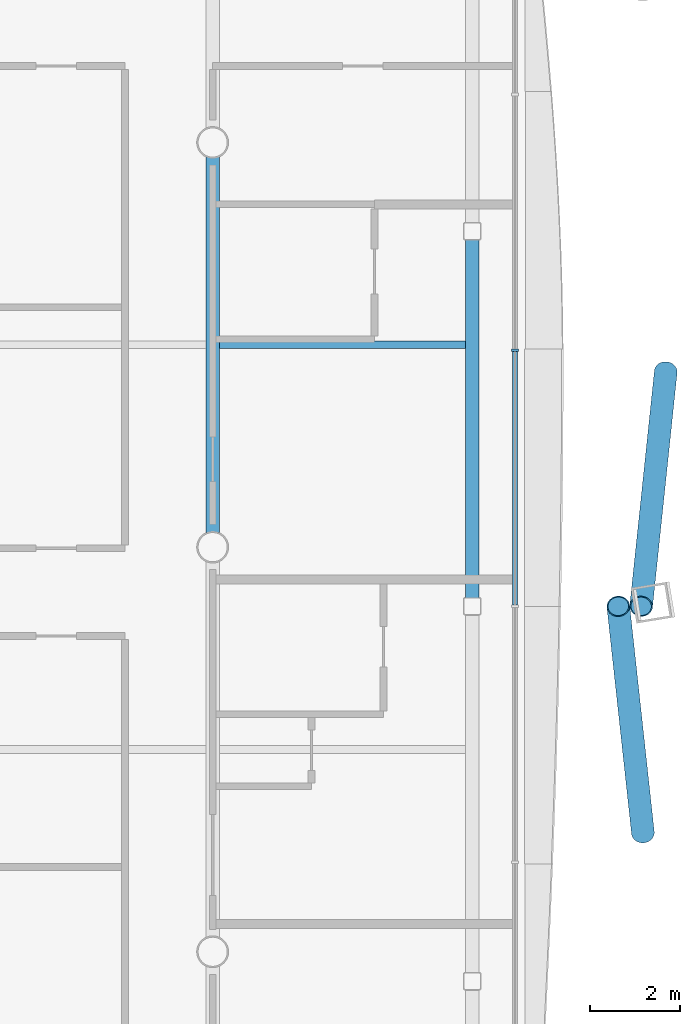
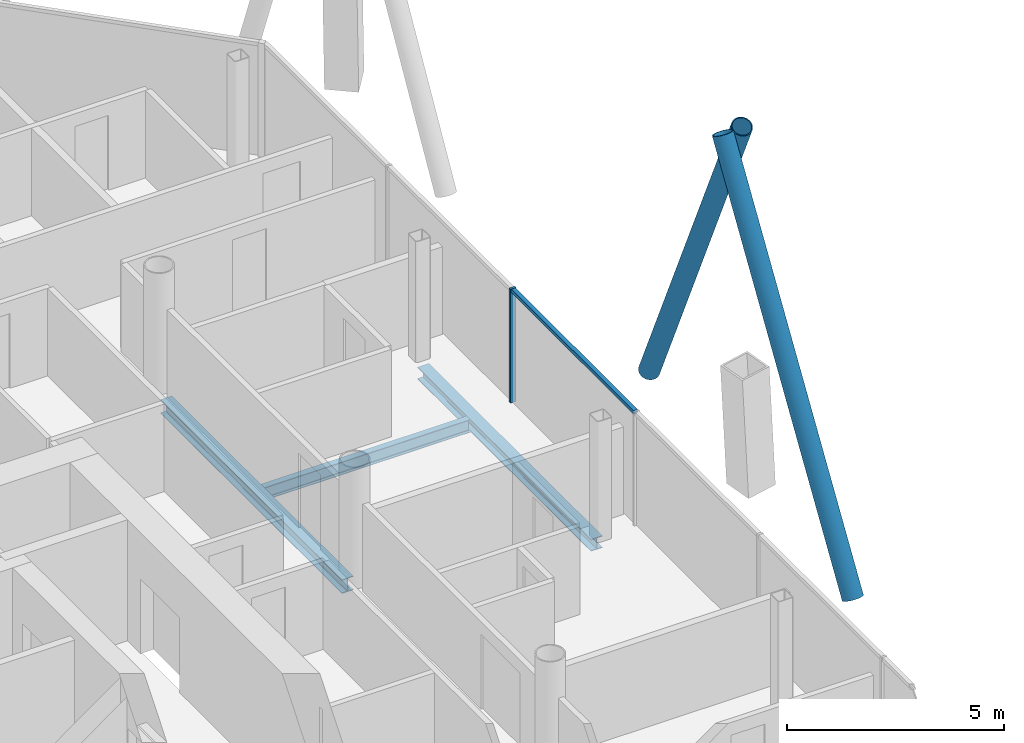
# One storey, part 9 of 20: 4 members, 3 beams, 1 element without a shape of its own.
"""IFC4 building model written with IfcOpenShell, lengths in metres."""

from ifc_helpers import new_model, si_unit, direction, frame, origin, origin_2d, place, context, subcontext, project, spatial, rectangle, hollow_circle, i_section, extrude, material, material_profile, profile_set, type_object, element, aggregate, save


model = new_model("IFC4")

# Units and contexts
model_context = context("Model", 3, precision=1e-05, world=origin(), true_north=direction((0.0, 1.0)))
body_context = subcontext(model_context, "Body", "Model", "MODEL_VIEW")
ifc_project = project(units=[si_unit("LENGTHUNIT", "METRE"), si_unit("AREAUNIT", "SQUARE_METRE"), si_unit("VOLUMEUNIT", "CUBIC_METRE"), si_unit("PLANEANGLEUNIT", "RADIAN"), si_unit("MASSUNIT", "GRAM", prefix="KILO")], contexts=[model_context])

# Site, building, storey
site_placement = place(None, origin())
site = spatial("IfcSite", under=ifc_project, at=site_placement, CompositionType="ELEMENT")
building_placement = place(site_placement, origin())
building = spatial("IfcBuilding", under=site, at=building_placement, Name="Tskaro Facet Tower", CompositionType="ELEMENT")
storey_placement = place(building_placement, frame((0.0, 0.0, 152.10009765625)))
storey = spatial("IfcBuildingStorey", under=building, at=storey_placement, Name="L37", CompositionType="ELEMENT", Elevation=152.10009765625)

# Members
ifc_material_1 = material(Name="Steel S355J2H", Category="steel")
ifc_material_profile_1 = material_profile(ifc_material_1, hollow_circle(Radius=0.25390625, WallThickness=0.02490234375, at=origin_2d()), Name="CHS 508x25")
ifc_profile_set_1 = profile_set([ifc_material_profile_1], Name="Steel S355J2H")
member_type_1 = type_object("IfcMemberType", Name="CHS 508x25 brace", PredefinedType="BRACE", material=ifc_profile_set_1)
member_1_placement = place(storey_placement, frame((27.56982421875, -6.349853515625, 0.0), z_axis=(-0.048109072687, 0.442050343017, 0.895699174591), x_axis=(-0.994129929006, -0.108192810548, 0.0)))
element("IfcMember", 1, at=member_1_placement, inside=storey, type_object=member_type_1, Name="CHS 508x25 XB04A/3", PredefinedType="BRACE", context=body_context, shape_type="SweptSolid", body=[
    extrude(hollow_circle(Radius=0.25390625, WallThickness=0.02490234375, at=origin_2d()), origin(), (0.0, 0.0, 1.0), 11.3876953125),
])
member_2_placement = place(storey_placement, frame((28.07763671875, 3.8974609375, 0.0), z_axis=(-0.047750332682, -0.454596791836, 0.889416473077), x_axis=(0.994528651358, -0.104464164325, 0.0)))
element("IfcMember", 2, at=member_2_placement, inside=storey, type_object=member_type_1, Name="CHS 508x25 XB05B/3", PredefinedType="BRACE", context=body_context, shape_type="SweptSolid", body=[
    extrude(hollow_circle(Radius=0.25390625, WallThickness=0.02490234375, at=origin_2d()), origin(), (0.0, 0.0, 1.0), 11.468017578125),
])

# Curtain wall, members
ifc_material_2 = material(Name="Bronze anodised aluminium 6063-T6", Category="aluminium")
curtain_wall_type = type_object("IfcCurtainWallType", Name="Bronze hotel curtain wall (FW2)", PredefinedType="NOTDEFINED", material=ifc_material_2)
curtain_wall_placement = place(storey_placement, origin())
curtain_wall = element("IfcCurtainWall", 3, at=curtain_wall_placement, inside=storey, type_object=curtain_wall_type, Name="FW2 east facet L37", PredefinedType="NOTDEFINED")
ifc_material_profile_2 = material_profile(ifc_material_2, rectangle(XDim=0.06005859375, YDim=0.14990234375, at=origin_2d()), Name="Mullion 60x150")
ifc_profile_set_2 = profile_set([ifc_material_profile_2], Name="Bronze anodised aluminium 6063-T6")
member_type_2 = type_object("IfcMemberType", Name="FW2 bronze mullion 60x150", PredefinedType="MULLION", material=ifc_profile_set_2)
member_3_placement = place(storey_placement, frame((24.72412109375, 4.376708984375, 0.0), z_axis=(0.0, 0.0, 1.0), x_axis=(0.0, 1.0, 0.0)))
member_3 = element("IfcMember", 4, at=member_3_placement, type_object=member_type_2, Name="FW2 east mullion 4", PredefinedType="MULLION", context=body_context, shape_type="SweptSolid", body=[
    extrude(rectangle(XDim=0.06005859375, YDim=0.14990234375, at=origin_2d()), origin(), (0.0, 0.0, 1.0), 3.199951171875),
])
ifc_material_profile_3 = material_profile(ifc_material_2, rectangle(XDim=0.110107421875, YDim=0.10009765625, at=origin_2d()), Name="Transom 110x100")
ifc_profile_set_3 = profile_set([ifc_material_profile_3], Name="Bronze anodised aluminium 6063-T6")
member_type_3 = type_object("IfcMemberType", Name="FW2 bronze transom 110x100", PredefinedType="USERDEFINED", material=ifc_profile_set_3)
member_4_placement = place(storey_placement, frame((24.72412109375, -1.285400390625, 3.14990234375), z_axis=(0.0, 1.0, 0.0), x_axis=(-1.0, 0.0, 0.0)))
member_4 = element("IfcMember", 5, at=member_4_placement, type_object=member_type_3, Name="FW2 east transom 4.1", ObjectType="TRANSOM", PredefinedType="USERDEFINED", context=body_context, shape_type="SweptSolid", body=[
    extrude(rectangle(XDim=0.110107421875, YDim=0.10009765625, at=origin_2d()), origin(), (0.0, 0.0, 1.0), 5.632080078125),
])
aggregate(curtain_wall, [member_3, member_4])

# Beams
ifc_material_3 = material(Name="Steel S355J2", Category="steel")
ifc_material_profile_4 = material_profile(ifc_material_3, i_section(OverallWidth=0.300048828125, OverallDepth=0.340087890625, WebThickness=0.011962890625, FlangeThickness=0.021484375, FilletRadius=0.027099609375, at=origin_2d()), Name="HE 340 B")
ifc_profile_set_4 = profile_set([ifc_material_profile_4], Name="Steel S355J2")
beam_type_1 = type_object("IfcBeamType", Name="HE 340 B ring beam", PredefinedType="BEAM", material=ifc_profile_set_4)
beam_1_placement = place(storey_placement, frame((23.77392578125, -1.135986328125, -0.31005859375), z_axis=(0.0, 1.0, 0.0), x_axis=(-1.0, 0.0, 0.0)))
element("IfcBeam", 6, at=beam_1_placement, inside=storey, type_object=beam_type_1, Name="HE 340 B EB8-3", PredefinedType="BEAM", context=body_context, shape_type="SweptSolid", body=[
    extrude(i_section(OverallWidth=0.300048828125, OverallDepth=0.340087890625, WebThickness=0.011962890625, FlangeThickness=0.021484375, FilletRadius=0.027099609375, at=origin_2d()), origin(), (0.0, 0.0, 1.0), 7.98193359375),
])
ifc_material_profile_5 = material_profile(ifc_material_3, i_section(OverallWidth=0.300048828125, OverallDepth=0.389892578125, WebThickness=0.010986328125, FlangeThickness=0.01904296875, FilletRadius=0.027099609375, at=origin_2d()), Name="HE 400 A")
ifc_profile_set_5 = profile_set([ifc_material_profile_5], Name="Steel S355J2")
beam_type_2 = type_object("IfcBeamType", Name="HE 400 A girder", PredefinedType="BEAM", material=ifc_profile_set_5)
beam_2_placement = place(storey_placement, frame((18.0, 0.325439453125, -0.335205078125), z_axis=(0.0, 1.0, 0.0), x_axis=(-1.0, 0.0, 0.0)))
element("IfcBeam", 7, at=beam_2_placement, inside=storey, type_object=beam_type_2, Name="HE 400 A GB6-3-3", PredefinedType="BEAM", context=body_context, shape_type="SweptSolid", body=[
    extrude(i_section(OverallWidth=0.300048828125, OverallDepth=0.389892578125, WebThickness=0.010986328125, FlangeThickness=0.01904296875, FilletRadius=0.027099609375, at=origin_2d()), origin(), (0.0, 0.0, 1.0), 8.34912109375),
])
ifc_material_profile_6 = material_profile(ifc_material_3, i_section(OverallWidth=0.169921875, OverallDepth=0.360107421875, WebThickness=0.008056640625, FlangeThickness=0.0126953125, FilletRadius=0.01806640625, at=origin_2d()), Name="IPE 360")
ifc_profile_set_6 = profile_set([ifc_material_profile_6], Name="Steel S355J2")
beam_type_3 = type_object("IfcBeamType", Name="IPE 360 secondary beam", PredefinedType="BEAM", material=ifc_profile_set_6)
beam_3_placement = place(storey_placement, frame((18.14990234375, 4.5, -0.320068359375), z_axis=(1.0, 0.0, 0.0), x_axis=(0.0, 1.0, 0.0)))
element("IfcBeam", 8, at=beam_3_placement, inside=storey, type_object=beam_type_3, Name="IPE 360 SB4a-5-3", PredefinedType="BEAM", context=body_context, shape_type="SweptSolid", body=[
    extrude(i_section(OverallWidth=0.169921875, OverallDepth=0.360107421875, WebThickness=0.008056640625, FlangeThickness=0.0126953125, FilletRadius=0.01806640625, at=origin_2d()), origin(), (0.0, 0.0, 1.0), 5.47412109375),
])

save(model, "model.ifc")
